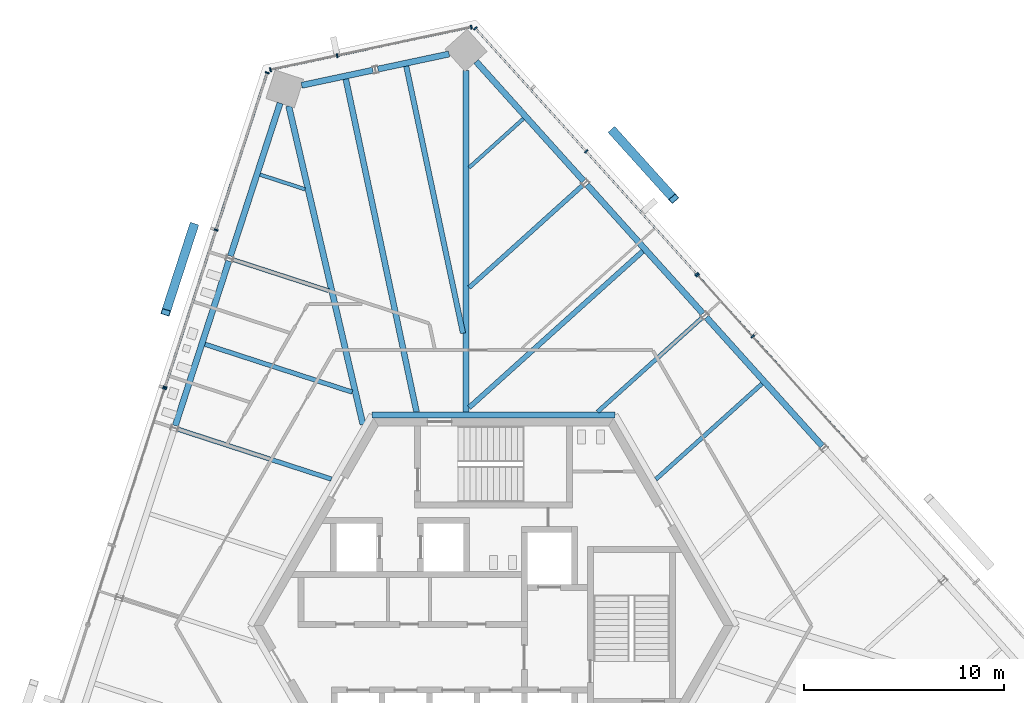
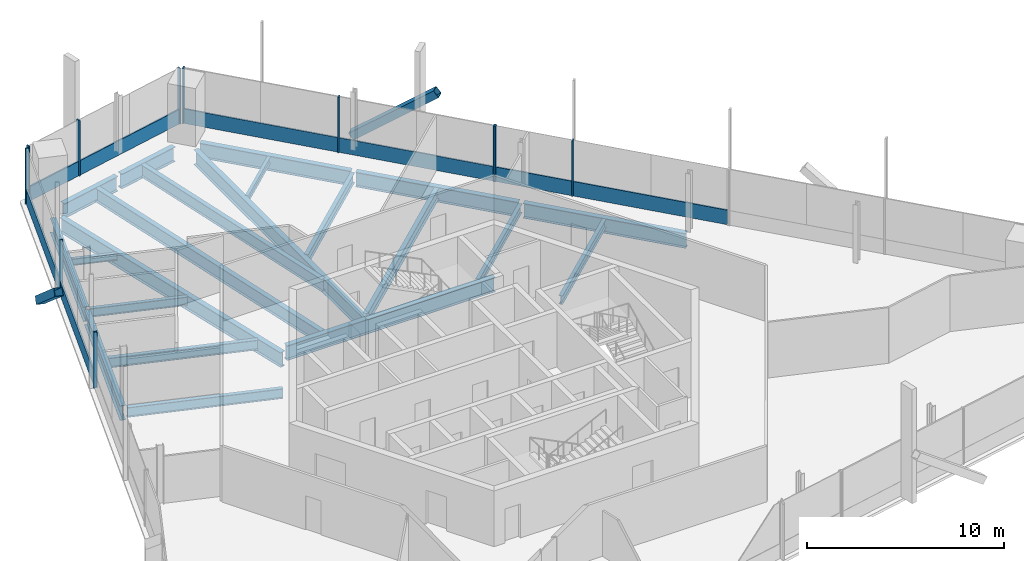
# One storey, part 7 of 16: 22 members, 21 beams, 5 elements without a shape of their own.
"""IFC4 building model written with IfcOpenShell, lengths in metres."""

from ifc_helpers import new_model, si_unit, direction, frame, origin, origin_2d, place, context, subcontext, project, spatial, rectangle, hollow_rectangle, i_section, extrude, source, transform, mapped, material, material_profile, profile_set, type_object, element, aggregate, save


model = new_model("IFC4")

# Units and contexts
model_context = context("Model", 3, precision=1e-05, world=origin(), true_north=direction((0.0, 1.0)))
body_context = subcontext(model_context, "Body", "Model", "MODEL_VIEW")
ifc_project = project(units=[si_unit("LENGTHUNIT", "METRE"), si_unit("AREAUNIT", "SQUARE_METRE"), si_unit("VOLUMEUNIT", "CUBIC_METRE"), si_unit("PLANEANGLEUNIT", "RADIAN"), si_unit("MASSUNIT", "GRAM", prefix="KILO")], contexts=[model_context])

# Site, building, storey
site_placement = place(None, origin())
site = spatial("IfcSite", under=ifc_project, at=site_placement, CompositionType="ELEMENT")
building_placement = place(site_placement, origin())
building = spatial("IfcBuilding", under=site, at=building_placement, Name="Triune Harvest Tower", CompositionType="ELEMENT")
storey_placement = place(building_placement, frame((0.0, 0.0, 266.699951171875)))
storey = spatial("IfcBuildingStorey", under=building, at=storey_placement, Name="L70", CompositionType="ELEMENT", Elevation=266.699951171875)

# Beams
ifc_material_1 = material(Name="Steel ASTM A992 Gr 50", Category="steel")
ifc_material_profile_1 = material_profile(ifc_material_1, i_section(OverallWidth=0.3046875, OverallDepth=0.914306640625, WebThickness=0.0166015625, FlangeThickness=0.02587890625, at=origin_2d()), Name="W36x160")
ifc_profile_set_1 = profile_set([ifc_material_profile_1], Name="Steel ASTM A992 Gr 50")
beam_type_1 = type_object("IfcBeamType", Name="CG-1 Core ring girder W36x160", PredefinedType="BEAM", material=ifc_profile_set_1)
shared_shape_1 = source(origin(), body_context, "Body", "SweptSolid", [
    extrude(i_section(OverallWidth=0.3046875, OverallDepth=0.914306640625, WebThickness=0.0166015625, FlangeThickness=0.02587890625, at=origin_2d()), origin(), (0.0, 0.0, 1.0), 12.17578125),
])
beam_1_placement = place(storey_placement, frame((6.087890625, 10.544677734375, -0.6171875), z_axis=(-1.0, 0.0, 0.0), x_axis=(0.0, -1.0, 0.0)))
element("IfcBeam", 1, at=beam_1_placement, inside=storey, type_object=beam_type_1, Name="beam/L70/CG2", PredefinedType="BEAM", context=body_context, shape_type="MappedRepresentation", body=[
    mapped(shared_shape_1, transform((0.0, 0.0, 0.0), scale=1.0)),
])
ifc_material_2 = material(Name="Steel ASTM A992 Gr 50", Category="steel")
ifc_material_profile_2 = material_profile(ifc_material_2, i_section(OverallWidth=0.3046875, OverallDepth=0.914306640625, WebThickness=0.0166015625, FlangeThickness=0.02587890625, at=origin_2d()), Name="W36x160")
ifc_profile_set_2 = profile_set([ifc_material_profile_2], Name="Steel ASTM A992 Gr 50")
beam_type_2 = type_object("IfcBeamType", Name="SB-1 Spandrel beam W36x160", PredefinedType="SPANDREL", material=ifc_profile_set_2)
shared_shape_2 = source(origin(), body_context, "Body", "SweptSolid", [
    extrude(i_section(OverallWidth=0.3046875, OverallDepth=0.914306640625, WebThickness=0.0166015625, FlangeThickness=0.02587890625, at=origin_2d()), origin(), (0.0, 0.0, 1.0), 8.0498046875),
])
for number, where, z_axis, x_axis, name in (
    (2, (4.511474609375, 22.25537109375, -0.6171875), (-0.669152382485, 0.743125217588, 0.0), (-0.743125217588, -0.669152382485, 0.0), "beam/L70/SB5"),
    (3, (-10.685791015625, 26.152099609375, -0.6171875), (-0.30902160762, -0.951055017348, 0.0), (0.951055017348, -0.30902160762, 0.0), "beam/L70/SB8"),
):
    element("IfcBeam", number, at=place(storey_placement, frame(where, z_axis=z_axis, x_axis=x_axis)), inside=storey, type_object=beam_type_2, Name=name, PredefinedType="SPANDREL", context=body_context, shape_type="MappedRepresentation", body=[
        mapped(shared_shape_2, transform((0.0, 0.0, 0.0), scale=1.0)),
    ])
shared_shape_3 = source(origin(), body_context, "Body", "SweptSolid", [
    extrude(i_section(OverallWidth=0.3046875, OverallDepth=0.914306640625, WebThickness=0.0166015625, FlangeThickness=0.02587890625, at=origin_2d()), origin(), (0.0, 0.0, 1.0), 8.671630859375),
])
beam_2_placement = place(storey_placement, frame((16.45947265625, 8.985595703125, -0.6171875), z_axis=(-0.669129593336, 0.743145737606, 0.0), x_axis=(-0.743145737606, -0.669129593336, 0.0)))
element("IfcBeam", 4, at=beam_2_placement, inside=storey, type_object=beam_type_2, Name="beam/L70/SB3", PredefinedType="SPANDREL", context=body_context, shape_type="MappedRepresentation", body=[
    mapped(shared_shape_3, transform((0.0, 0.0, 0.0), scale=1.0)),
])
shared_shape_4 = source(origin(), body_context, "Body", "SweptSolid", [
    extrude(i_section(OverallWidth=0.3046875, OverallDepth=0.914306640625, WebThickness=0.0166015625, FlangeThickness=0.02587890625, at=origin_2d()), origin(), (0.0, 0.0, 1.0), 8.67138671875),
])
for number, where, z_axis, x_axis, name in (
    (5, (10.4853515625, 15.62060546875, -0.6171875), (-0.669128044683, 0.743147132013, 0.0), (-0.743147132013, -0.669128044683, 0.0), "beam/L70/SB4"),
    (6, (-13.252685546875, 18.25244140625, -0.6171875), (-0.309022409974, -0.951054756643, 0.0), (0.951054756643, -0.309022409974, 0.0), "beam/L70/SB9"),
):
    element("IfcBeam", number, at=place(storey_placement, frame(where, z_axis=z_axis, x_axis=x_axis)), inside=storey, type_object=beam_type_2, Name=name, PredefinedType="SPANDREL", context=body_context, shape_type="MappedRepresentation", body=[
        mapped(shared_shape_4, transform((0.0, 0.0, 0.0), scale=1.0)),
    ])
shared_shape_5 = source(origin(), body_context, "Body", "SweptSolid", [
    extrude(i_section(OverallWidth=0.3046875, OverallDepth=0.914306640625, WebThickness=0.0166015625, FlangeThickness=0.02587890625, at=origin_2d()), origin(), (0.0, 0.0, 1.0), 3.645751953125),
])
beam_3_placement = place(storey_placement, frame((-2.223876953125, 28.61474609375, -0.6171875), z_axis=(-0.978145063506, -0.207923627178, 0.0), x_axis=(0.207923627178, -0.978145063506, 0.0)))
element("IfcBeam", 7, at=beam_3_placement, inside=storey, type_object=beam_type_2, Name="beam/L70/SB6", PredefinedType="SPANDREL", context=body_context, shape_type="MappedRepresentation", body=[
    mapped(shared_shape_5, transform((0.0, 0.0, 0.0), scale=1.0)),
])
shared_shape_6 = source(origin(), body_context, "Body", "SweptSolid", [
    extrude(i_section(OverallWidth=0.3046875, OverallDepth=0.914306640625, WebThickness=0.0166015625, FlangeThickness=0.02587890625, at=origin_2d()), origin(), (0.0, 0.0, 1.0), 3.6455078125),
])
beam_4_placement = place(storey_placement, frame((-6.041015625, 27.803466796875, -0.6171875), z_axis=(-0.978142168213, -0.207937247179, 0.0), x_axis=(0.207937247179, -0.978142168213, 0.0)))
element("IfcBeam", 8, at=beam_4_placement, inside=storey, type_object=beam_type_2, Name="beam/L70/SB7", PredefinedType="SPANDREL", context=body_context, shape_type="MappedRepresentation", body=[
    mapped(shared_shape_6, transform((0.0, 0.0, 0.0), scale=1.0)),
])
ifc_material_3 = material(Name="Steel ASTM A992 Gr 50", Category="steel")
ifc_material_profile_3 = material_profile(ifc_material_3, i_section(OverallWidth=0.3046875, OverallDepth=0.914306640625, WebThickness=0.0166015625, FlangeThickness=0.02587890625, at=origin_2d()), Name="W36x160")
ifc_profile_set_3 = profile_set([ifc_material_profile_3], Name="Steel ASTM A992 Gr 50")
beam_type_3 = type_object("IfcBeamType", Name="HG-3 Hip girder W36x160", PredefinedType="BEAM", material=ifc_profile_set_3)
shared_shape_7 = source(origin(), body_context, "Body", "SweptSolid", [
    extrude(i_section(OverallWidth=0.3046875, OverallDepth=0.914306640625, WebThickness=0.0166015625, FlangeThickness=0.02587890625, at=origin_2d()), origin(), (0.0, 0.0, 1.0), 17.088623046875),
])
beam_5_placement = place(storey_placement, frame((-1.376708984375, 27.78564453125, -0.6171875), z_axis=(0.0, -1.0, 0.0), x_axis=(1.0, 0.0, 0.0)))
element("IfcBeam", 9, at=beam_5_placement, inside=storey, type_object=beam_type_3, Name="beam/L70/HG2", PredefinedType="BEAM", context=body_context, shape_type="MappedRepresentation", body=[
    mapped(shared_shape_7, transform((0.0, 0.0, 0.0), scale=1.0)),
])
shared_shape_8 = source(origin(), body_context, "Body", "SweptSolid", [
    extrude(i_section(OverallWidth=0.3046875, OverallDepth=0.914306640625, WebThickness=0.0166015625, FlangeThickness=0.02587890625, at=origin_2d()), origin(), (0.0, 0.0, 1.0), 16.37060546875),
])
beam_6_placement = place(storey_placement, frame((-10.255126953125, 26.01220703125, -0.6171875), z_axis=(0.227026417792, -0.973888600213, 0.0), x_axis=(0.973888600213, 0.227026417792, 0.0)))
element("IfcBeam", 10, at=beam_6_placement, inside=storey, type_object=beam_type_3, Name="beam/L70/HG3", PredefinedType="BEAM", context=body_context, shape_type="MappedRepresentation", body=[
    mapped(shared_shape_8, transform((0.0, 0.0, 0.0), scale=1.0)),
])
ifc_material_4 = material(Name="Steel ASTM A992 Gr 50", Category="steel")
ifc_material_profile_4 = material_profile(ifc_material_4, i_section(OverallWidth=0.22900390625, OverallDepth=0.612060546875, WebThickness=0.011962890625, FlangeThickness=0.01953125, at=origin_2d()), Name="W24x84")
ifc_profile_set_4 = profile_set([ifc_material_profile_4], Name="Steel ASTM A992 Gr 50")
beam_type_4 = type_object("IfcBeamType", Name="JT-3 Floor joist W24x84", PredefinedType="JOIST", material=ifc_profile_set_4)
shared_shape_9 = source(origin(), body_context, "Body", "SweptSolid", [
    extrude(i_section(OverallWidth=0.22900390625, OverallDepth=0.612060546875, WebThickness=0.011962890625, FlangeThickness=0.01953125, at=origin_2d()), origin(), (0.0, 0.0, 1.0), 7.755126953125),
])
beam_7_placement = place(storey_placement, frame((-14.447509765625, 14.081787109375, -0.466064453125), z_axis=(0.951054888115, -0.309022005354, 0.0), x_axis=(0.309022005354, 0.951054888115, 0.0)))
element("IfcBeam", 11, at=beam_7_placement, inside=storey, type_object=beam_type_4, Name="beam/L70/JT14", PredefinedType="JOIST", context=body_context, shape_type="MappedRepresentation", body=[
    mapped(shared_shape_9, transform((0.0, 0.0, 0.0), scale=1.0)),
])
ifc_material_5 = material(Name="Steel ASTM A992 Gr 50", Category="steel")
ifc_material_profile_5 = material_profile(ifc_material_5, i_section(OverallWidth=0.2099609375, OverallDepth=0.535888671875, WebThickness=0.010986328125, FlangeThickness=0.017333984375, at=origin_2d()), Name="W21x68")
ifc_profile_set_5 = profile_set([ifc_material_profile_5], Name="Steel ASTM A992 Gr 50")
beam_type_5 = type_object("IfcBeamType", Name="JT-2 Floor joist W21x68", PredefinedType="JOIST", material=ifc_profile_set_5)
shared_shape_10 = source(origin(), body_context, "Body", "SweptSolid", [
    extrude(i_section(OverallWidth=0.2099609375, OverallDepth=0.535888671875, WebThickness=0.010986328125, FlangeThickness=0.017333984375, at=origin_2d()), origin(), (0.0, 0.0, 1.0), 7.155517578125),
])
beam_8_placement = place(storey_placement, frame((13.44482421875, 12.105712890625, -0.427978515625), z_axis=(-0.743139743978, -0.669136249892, 0.0), x_axis=(0.669136249892, -0.743139743978, 0.0)))
element("IfcBeam", 12, at=beam_8_placement, inside=storey, type_object=beam_type_5, Name="beam/L70/JT5", PredefinedType="JOIST", context=body_context, shape_type="MappedRepresentation", body=[
    mapped(shared_shape_10, transform((0.0, 0.0, 0.0), scale=1.0)),
])
shared_shape_11 = source(origin(), body_context, "Body", "SweptSolid", [
    extrude(i_section(OverallWidth=0.2099609375, OverallDepth=0.535888671875, WebThickness=0.010986328125, FlangeThickness=0.017333984375, at=origin_2d()), origin(), (0.0, 0.0, 1.0), 7.035400390625),
])
beam_9_placement = place(storey_placement, frame((10.437255859375, 15.404541015625, -0.427978515625), z_axis=(-0.743147458893, -0.669127681643, 0.0), x_axis=(0.669127681643, -0.743147458893, 0.0)))
element("IfcBeam", 13, at=beam_9_placement, inside=storey, type_object=beam_type_5, Name="beam/L70/JT6", PredefinedType="JOIST", context=body_context, shape_type="MappedRepresentation", body=[
    mapped(shared_shape_11, transform((0.0, 0.0, 0.0), scale=1.0)),
])
ifc_material_6 = material(Name="Steel ASTM A992 Gr 50", Category="steel")
ifc_material_profile_6 = material_profile(ifc_material_6, i_section(OverallWidth=0.253662109375, OverallDepth=0.683349609375, WebThickness=0.012451171875, FlangeThickness=0.01904296875, at=origin_2d()), Name="W27x94")
ifc_profile_set_6 = profile_set([ifc_material_profile_6], Name="Steel ASTM A992 Gr 50")
beam_type_6 = type_object("IfcBeamType", Name="JT-4 Floor joist W27x94", PredefinedType="JOIST", material=ifc_profile_set_6)
shared_shape_12 = source(origin(), body_context, "Body", "SweptSolid", [
    extrude(i_section(OverallWidth=0.253662109375, OverallDepth=0.683349609375, WebThickness=0.012451171875, FlangeThickness=0.01904296875, at=origin_2d()), origin(), (0.0, 0.0, 1.0), 11.70068359375),
])
beam_10_placement = place(storey_placement, frame((7.470947265625, 18.740478515625, -0.50146484375), z_axis=(-0.743153026809, -0.669121497745, 0.0), x_axis=(0.669121497745, -0.743153026809, 0.0)))
element("IfcBeam", 14, at=beam_10_placement, inside=storey, type_object=beam_type_6, Name="beam/L70/JT7", PredefinedType="JOIST", context=body_context, shape_type="MappedRepresentation", body=[
    mapped(shared_shape_12, transform((0.0, 0.0, 0.0), scale=1.0)),
])
shared_shape_13 = source(origin(), body_context, "Body", "SweptSolid", [
    extrude(i_section(OverallWidth=0.22900390625, OverallDepth=0.612060546875, WebThickness=0.011962890625, FlangeThickness=0.01953125, at=origin_2d()), origin(), (0.0, 0.0, 1.0), 7.6533203125),
])
beam_11_placement = place(storey_placement, frame((4.463134765625, 22.039306640625, -0.466064453125), z_axis=(-0.74314185307, -0.669133907537, 0.0), x_axis=(0.669133907537, -0.74314185307, 0.0)))
element("IfcBeam", 15, at=beam_11_placement, inside=storey, type_object=beam_type_4, Name="beam/L70/JT8", PredefinedType="JOIST", context=body_context, shape_type="MappedRepresentation", body=[
    mapped(shared_shape_13, transform((0.0, 0.0, 0.0), scale=1.0)),
])
ifc_material_7 = material(Name="Steel ASTM A992 Gr 50", Category="steel")
ifc_material_profile_7 = material_profile(ifc_material_7, i_section(OverallWidth=0.180908203125, OverallDepth=0.41650390625, WebThickness=0.010986328125, FlangeThickness=0.01806640625, at=origin_2d()), Name="W16x57")
ifc_profile_set_7 = profile_set([ifc_material_profile_7], Name="Steel ASTM A992 Gr 50")
beam_type_7 = type_object("IfcBeamType", Name="JT-1 Floor joist W16x57", PredefinedType="JOIST", material=ifc_profile_set_7)
shared_shape_14 = source(origin(), body_context, "Body", "SweptSolid", [
    extrude(i_section(OverallWidth=0.180908203125, OverallDepth=0.41650390625, WebThickness=0.010986328125, FlangeThickness=0.01806640625, at=origin_2d()), origin(), (0.0, 0.0, 1.0), 3.661865234375),
])
beam_12_placement = place(storey_placement, frame((1.496826171875, 25.37548828125, -0.3681640625), z_axis=(-0.743108471823, -0.669170978977, 0.0), x_axis=(0.669170978977, -0.743108471823, 0.0)))
element("IfcBeam", 16, at=beam_12_placement, inside=storey, type_object=beam_type_7, Name="beam/L70/JT9", PredefinedType="JOIST", context=body_context, shape_type="MappedRepresentation", body=[
    mapped(shared_shape_14, transform((0.0, 0.0, 0.0), scale=1.0)),
])
ifc_material_8 = material(Name="Steel ASTM A992 Gr 50", Category="steel")
ifc_material_profile_8 = material_profile(ifc_material_8, i_section(OverallWidth=0.2666015625, OverallDepth=0.7568359375, WebThickness=0.013916015625, FlangeThickness=0.019287109375, at=origin_2d()), Name="W30x108")
ifc_profile_set_8 = profile_set([ifc_material_profile_8], Name="Steel ASTM A992 Gr 50")
beam_type_8 = type_object("IfcBeamType", Name="JT-5 Floor joist W30x108", PredefinedType="JOIST", material=ifc_profile_set_8)
shared_shape_15 = source(origin(), body_context, "Body", "SweptSolid", [
    extrude(i_section(OverallWidth=0.2666015625, OverallDepth=0.7568359375, WebThickness=0.013916015625, FlangeThickness=0.019287109375, at=origin_2d()), origin(), (0.0, 0.0, 1.0), 13.66796875),
])
beam_13_placement = place(storey_placement, frame((-4.370849609375, 28.002685546875, -0.538330078125), z_axis=(0.207897850023, -0.978150542583, 0.0), x_axis=(0.978150542583, 0.207897850023, 0.0)))
element("IfcBeam", 17, at=beam_13_placement, inside=storey, type_object=beam_type_8, Name="beam/L70/JT10", PredefinedType="JOIST", context=body_context, shape_type="MappedRepresentation", body=[
    mapped(shared_shape_15, transform((0.0, 0.0, 0.0), scale=1.0)),
])
ifc_material_9 = material(Name="Steel ASTM A992 Gr 50", Category="steel")
ifc_material_profile_9 = material_profile(ifc_material_9, i_section(OverallWidth=0.2919921875, OverallDepth=0.8408203125, WebThickness=0.0146484375, FlangeThickness=0.021728515625, at=origin_2d()), Name="W33x130")
ifc_profile_set_9 = profile_set([ifc_material_profile_9], Name="Steel ASTM A992 Gr 50")
beam_type_9 = type_object("IfcBeamType", Name="JT-6 Floor joist W33x130", PredefinedType="JOIST", material=ifc_profile_set_9)
shared_shape_16 = source(origin(), body_context, "Body", "SweptSolid", [
    extrude(i_section(OverallWidth=0.2919921875, OverallDepth=0.8408203125, WebThickness=0.0146484375, FlangeThickness=0.021728515625, at=origin_2d()), origin(), (0.0, 0.0, 1.0), 17.034912109375),
])
beam_14_placement = place(storey_placement, frame((-7.396728515625, 27.359619140625, -0.580322265625), z_axis=(0.207911891923, -0.978147557988, 0.0), x_axis=(0.978147557988, 0.207911891923, 0.0)))
element("IfcBeam", 18, at=beam_14_placement, inside=storey, type_object=beam_type_9, Name="beam/L70/JT11", PredefinedType="JOIST", context=body_context, shape_type="MappedRepresentation", body=[
    mapped(shared_shape_16, transform((0.0, 0.0, 0.0), scale=1.0)),
])
shared_shape_17 = source(origin(), body_context, "Body", "SweptSolid", [
    extrude(i_section(OverallWidth=0.180908203125, OverallDepth=0.41650390625, WebThickness=0.010986328125, FlangeThickness=0.01806640625, at=origin_2d()), origin(), (0.0, 0.0, 1.0), 2.36474609375),
])
beam_15_placement = place(storey_placement, frame((-11.688720703125, 22.57275390625, -0.3681640625), z_axis=(0.951061378221, -0.309002030505, 0.0), x_axis=(0.309002030505, 0.951061378221, 0.0)))
element("IfcBeam", 19, at=beam_15_placement, inside=storey, type_object=beam_type_7, Name="beam/L70/JT12", PredefinedType="JOIST", context=body_context, shape_type="MappedRepresentation", body=[
    mapped(shared_shape_17, transform((0.0, 0.0, 0.0), scale=1.0)),
])
shared_shape_18 = source(origin(), body_context, "Body", "SweptSolid", [
    extrude(i_section(OverallWidth=0.2099609375, OverallDepth=0.535888671875, WebThickness=0.010986328125, FlangeThickness=0.017333984375, at=origin_2d()), origin(), (0.0, 0.0, 1.0), 5.0322265625),
])
beam_16_placement = place(storey_placement, frame((-13.04150390625, 18.318603515625, -0.427978515625), z_axis=(0.951062231031, -0.308999405674, 0.0), x_axis=(0.308999405674, 0.951062231031, 0.0)))
element("IfcBeam", 20, at=beam_16_placement, inside=storey, type_object=beam_type_5, Name="beam/L70/JT13", PredefinedType="JOIST", context=body_context, shape_type="MappedRepresentation", body=[
    mapped(shared_shape_18, transform((0.0, 0.0, 0.0), scale=1.0)),
])
shared_shape_19 = source(origin(), body_context, "Body", "SweptSolid", [
    extrude(i_section(OverallWidth=0.22900390625, OverallDepth=0.612060546875, WebThickness=0.011962890625, FlangeThickness=0.01953125, at=origin_2d()), origin(), (0.0, 0.0, 1.0), 8.07666015625),
])
beam_17_placement = place(storey_placement, frame((-15.80029296875, 9.82763671875, -0.466064453125), z_axis=(0.951056057917, -0.309018405114, 0.0), x_axis=(0.309018405114, 0.951056057917, 0.0)))
element("IfcBeam", 21, at=beam_17_placement, inside=storey, type_object=beam_type_4, Name="beam/L70/JT15", PredefinedType="JOIST", context=body_context, shape_type="MappedRepresentation", body=[
    mapped(shared_shape_19, transform((0.0, 0.0, 0.0), scale=1.0)),
])

# Members
ifc_material_10 = material(Name="Steel ASTM A572 Gr 50", Category="steel")
ifc_material_profile_10 = material_profile(ifc_material_10, hollow_rectangle(XDim=0.449951171875, YDim=0.449951171875, WallThickness=0.02490234375, at=origin_2d()), Name="Box 450x450x25")
ifc_profile_set_10 = profile_set([ifc_material_profile_10], Name="Steel ASTM A572 Gr 50")
member_type_1 = type_object("IfcMemberType", Name="BR-4 Brace Box 450x450x25", PredefinedType="BRACE", material=ifc_profile_set_10)
shared_shape_20 = source(origin(), body_context, "Body", "SweptSolid", [
    extrude(hollow_rectangle(XDim=0.449951171875, YDim=0.449951171875, WallThickness=0.02490234375, at=origin_2d()), origin(), (0.0, 0.0, 1.0), 5.789306640625),
])
member_1_placement = place(storey_placement, frame((5.9921875, 24.736572265625, 0.0), z_axis=(0.523980540514, -0.582008486087, 0.621860527197), x_axis=(0.743184353567, 0.66908670336, 0.0)))
element("IfcMember", 22, at=member_1_placement, inside=storey, type_object=member_type_1, Name="brace/B7-F1/d2/3", PredefinedType="BRACE", context=body_context, shape_type="MappedRepresentation", body=[
    mapped(shared_shape_20, transform((0.0, 0.0, 0.0), scale=1.0)),
])
shared_shape_21 = source(origin(), body_context, "Body", "SweptSolid", [
    extrude(hollow_rectangle(XDim=0.449951171875, YDim=0.449951171875, WallThickness=0.02490234375, at=origin_2d()), origin(), (0.0, 0.0, 1.0), 5.7890625),
])
member_2_placement = place(storey_placement, frame((-15.01220703125, 19.99072265625, 0.0), z_axis=(-0.241982631104, -0.744798753559, 0.621867528451), x_axis=(0.951062953567, -0.308997181788, 0.0)))
element("IfcMember", 23, at=member_2_placement, inside=storey, type_object=member_type_1, Name="brace/B7-F3/d1/3", PredefinedType="BRACE", context=body_context, shape_type="MappedRepresentation", body=[
    mapped(shared_shape_21, transform((0.0, 0.0, 0.0), scale=1.0)),
])

# Curtain wall, members
ifc_material_11 = material(Name="Aluminium bronze anodised", Category="aluminium")
curtain_wall_type_1 = type_object("IfcCurtainWallType", Name="CW-1 Tower stick curtain wall", PredefinedType="NOTDEFINED", material=ifc_material_11)
curtain_wall_1_placement = place(storey_placement, origin())
curtain_wall_1 = element("IfcCurtainWall", 24, at=curtain_wall_1_placement, inside=storey, type_object=curtain_wall_type_1, Name="CW-1 B7-F1 L70 run 1001")
ifc_material_12 = material(Name="Aluminium bronze anodised", Category="aluminium")
ifc_material_profile_11 = material_profile(ifc_material_12, rectangle(XDim=0.199951171875, YDim=0.074951171875, at=origin_2d()), Name="MU-1 mullion 75 x 200")
ifc_profile_set_11 = profile_set([ifc_material_profile_11], Name="Aluminium bronze anodised")
member_type_2 = type_object("IfcMemberType", Name="MU-1 mullion 75 x 200", PredefinedType="MULLION", material=ifc_profile_set_11)
shared_shape_22 = source(origin(), body_context, "Body", "SweptSolid", [
    extrude(rectangle(XDim=0.199951171875, YDim=0.074951171875, at=origin_2d()), origin(), (0.0, 0.0, 1.0), 3.43994140625),
])
member_3_placement = place(storey_placement, frame((12.974609375, 14.478515625, 0.0), z_axis=(0.0, 0.0, 1.0), x_axis=(-0.743150150549, -0.66912469222, 0.0)))
member_3 = element("IfcMember", 25, at=member_3_placement, type_object=member_type_2, Name="CW-1 mullion B7-F1 1001.3", PredefinedType="MULLION", context=body_context, shape_type="MappedRepresentation", body=[
    mapped(shared_shape_22, transform((0.0, 0.0, 0.0), scale=1.0)),
])
member_4_placement = place(storey_placement, frame((10.218994140625, 17.538818359375, 0.0), z_axis=(0.0, 0.0, 1.0), x_axis=(-0.743150150549, -0.66912469222, 0.0)))
member_4 = element("IfcMember", 26, at=member_4_placement, type_object=member_type_2, Name="CW-1 mullion B7-F1 1001.4", PredefinedType="MULLION", context=body_context, shape_type="MappedRepresentation", body=[
    mapped(shared_shape_22, transform((0.0, 0.0, 0.0), scale=1.0)),
])

ifc_material_13 = material(Name="Aluminium bronze anodised", Category="aluminium")
curtain_wall_type_2 = type_object("IfcCurtainWallType", Name="CW-7 Tower stick curtain wall with insulated spandrel infill", PredefinedType="NOTDEFINED", material=ifc_material_13)
curtain_wall_2_placement = place(storey_placement, origin())
curtain_wall_2 = element("IfcCurtainWall", 27, at=curtain_wall_2_placement, inside=storey, type_object=curtain_wall_type_2, Name="CW-7 B7-F1 L70 run 2001")
member_5_placement = place(storey_placement, frame((10.168701171875, 17.5947265625, 0.0), z_axis=(0.0, 0.0, 1.0), x_axis=(-0.743141787662, -0.66913398018, 0.0)))
member_5 = element("IfcMember", 28, at=member_5_placement, type_object=member_type_2, Name="CW-7 mullion B7-F1 2001.1", PredefinedType="MULLION", context=body_context, shape_type="MappedRepresentation", body=[
    mapped(shared_shape_22, transform((0.0, 0.0, 0.0), scale=1.0)),
])
member_6_placement = place(storey_placement, frame((4.63232421875, 23.743408203125, 0.0), z_axis=(0.0, 0.0, 1.0), x_axis=(-0.743141787662, -0.66913398018, 0.0)))
member_6 = element("IfcMember", 29, at=member_6_placement, type_object=member_type_2, Name="CW-7 mullion B7-F1 2001.3", PredefinedType="MULLION", context=body_context, shape_type="MappedRepresentation", body=[
    mapped(shared_shape_22, transform((0.0, 0.0, 0.0), scale=1.0)),
])
member_7_placement = place(storey_placement, frame((-0.904052734375, 29.892333984375, 0.0), z_axis=(0.0, 0.0, 1.0), x_axis=(-0.743141787662, -0.66913398018, 0.0)))
member_7 = element("IfcMember", 30, at=member_7_placement, type_object=member_type_2, Name="CW-7 mullion B7-F1 2001.5", PredefinedType="MULLION", context=body_context, shape_type="MappedRepresentation", body=[
    mapped(shared_shape_22, transform((0.0, 0.0, 0.0), scale=1.0)),
])

curtain_wall_3_placement = place(storey_placement, origin())
curtain_wall_3 = element("IfcCurtainWall", 31, at=curtain_wall_3_placement, inside=storey, type_object=curtain_wall_type_1, Name="CW-1 B7-F2 L70 run 1")
member_8_placement = place(storey_placement, frame((-1.114013671875, 29.96044921875, 0.0), z_axis=(0.0, 0.0, 1.0), x_axis=(0.207904739307, -0.978149078297, 0.0)))
member_8 = element("IfcMember", 32, at=member_8_placement, type_object=member_type_2, Name="CW-1 mullion B7-F2 1.1", PredefinedType="MULLION", context=body_context, shape_type="MappedRepresentation", body=[
    mapped(shared_shape_22, transform((0.0, 0.0, 0.0), scale=1.0)),
])
member_9_placement = place(storey_placement, frame((-7.8291015625, 28.533203125, 0.0), z_axis=(0.0, 0.0, 1.0), x_axis=(0.207904739307, -0.978149078297, 0.0)))
member_9 = element("IfcMember", 33, at=member_9_placement, type_object=member_type_2, Name="CW-1 mullion B7-F2 1.3", PredefinedType="MULLION", context=body_context, shape_type="MappedRepresentation", body=[
    mapped(shared_shape_22, transform((0.0, 0.0, 0.0), scale=1.0)),
])
member_10_placement = place(storey_placement, frame((-11.168212890625, 27.823486328125, 0.0), z_axis=(0.0, 0.0, 1.0), x_axis=(0.207904739307, -0.978149078297, 0.0)))
member_10 = element("IfcMember", 34, at=member_10_placement, type_object=member_type_2, Name="CW-1 mullion B7-F2 1.4", PredefinedType="MULLION", context=body_context, shape_type="MappedRepresentation", body=[
    mapped(shared_shape_22, transform((0.0, 0.0, 0.0), scale=1.0)),
])

curtain_wall_4_placement = place(storey_placement, origin())
curtain_wall_4 = element("IfcCurtainWall", 35, at=curtain_wall_4_placement, inside=storey, type_object=curtain_wall_type_2, Name="CW-7 B7-F3 L70 run 1")
member_11_placement = place(storey_placement, frame((-11.332275390625, 27.67578125, 0.0), z_axis=(0.0, 0.0, 1.0), x_axis=(0.951057638804, -0.309013539626, 0.0)))
member_11 = element("IfcMember", 36, at=member_11_placement, type_object=member_type_2, Name="CW-7 mullion B7-F3 1.1", PredefinedType="MULLION", context=body_context, shape_type="MappedRepresentation", body=[
    mapped(shared_shape_22, transform((0.0, 0.0, 0.0), scale=1.0)),
])
member_12_placement = place(storey_placement, frame((-13.88916015625, 19.806640625, 0.0), z_axis=(0.0, 0.0, 1.0), x_axis=(0.951057638804, -0.309013539626, 0.0)))
member_12 = element("IfcMember", 37, at=member_12_placement, type_object=member_type_2, Name="CW-7 mullion B7-F3 1.3", PredefinedType="MULLION", context=body_context, shape_type="MappedRepresentation", body=[
    mapped(shared_shape_22, transform((0.0, 0.0, 0.0), scale=1.0)),
])
member_13_placement = place(storey_placement, frame((-16.44580078125, 11.9375, 0.0), z_axis=(0.0, 0.0, 1.0), x_axis=(0.951057638804, -0.309013539626, 0.0)))
member_13 = element("IfcMember", 38, at=member_13_placement, type_object=member_type_2, Name="CW-7 mullion B7-F3 1.5", PredefinedType="MULLION", context=body_context, shape_type="MappedRepresentation", body=[
    mapped(shared_shape_22, transform((0.0, 0.0, 0.0), scale=1.0)),
])

# Curtain wall, member
curtain_wall_5_placement = place(storey_placement, origin())
curtain_wall_5 = element("IfcCurtainWall", 39, at=curtain_wall_5_placement, inside=storey, type_object=curtain_wall_type_1, Name="CW-1 B7-F3 L70 run 1001")
member_14_placement = place(storey_placement, frame((-16.468994140625, 11.8662109375, 0.0), z_axis=(0.0, 0.0, 1.0), x_axis=(0.951054284615, -0.309023862696, 0.0)))
member_14 = element("IfcMember", 40, at=member_14_placement, type_object=member_type_2, Name="CW-1 mullion B7-F3 1001.1", PredefinedType="MULLION", context=body_context, shape_type="MappedRepresentation", body=[
    mapped(shared_shape_22, transform((0.0, 0.0, 0.0), scale=1.0)),
])
aggregate(curtain_wall_5, [member_14])

# Member
ifc_material_14 = material(Name="Aluminium bronze anodised", Category="aluminium")
ifc_material_profile_12 = material_profile(ifc_material_14, rectangle(XDim=0.090087890625, YDim=0.89990234375, at=origin_2d()), Name="TR-1 transom 90 x 900")
ifc_profile_set_12 = profile_set([ifc_material_profile_12], Name="Aluminium bronze anodised")
member_type_3 = type_object("IfcMemberType", Name="TR-1 transom 90 x 900", PredefinedType="USERDEFINED", material=ifc_profile_set_12)
shared_shape_23 = source(origin(), body_context, "Body", "SweptSolid", [
    extrude(rectangle(XDim=0.090087890625, YDim=0.89990234375, at=origin_2d()), origin(), (0.0, 0.0, 1.0), 6.7900390625),
])
member_15_placement = place(storey_placement, frame((-1.15087890625, 29.95263671875, 0.449951171875), z_axis=(-0.978150442975, -0.207898318677, 0.0), x_axis=(0.207898318677, -0.978150442975, 0.0)))
member_15 = element("IfcMember", 41, at=member_15_placement, type_object=member_type_3, Name="CW-1 transom B7-F2 1.1", ObjectType="TRANSOM", PredefinedType="USERDEFINED", context=body_context, shape_type="MappedRepresentation", body=[
    mapped(shared_shape_23, transform((0.0, 0.0, 0.0), scale=1.0)),
])

shared_shape_24 = source(origin(), body_context, "Body", "SweptSolid", [
    extrude(rectangle(XDim=0.090087890625, YDim=0.89990234375, at=origin_2d()), origin(), (0.0, 0.0, 1.0), 3.3388671875),
])
member_16_placement = place(storey_placement, frame((-7.86572265625, 28.525390625, 0.449951171875), z_axis=(-0.978153089547, -0.207885866306, 0.0), x_axis=(0.207885866306, -0.978153089547, 0.0)))
member_16 = element("IfcMember", 42, at=member_16_placement, type_object=member_type_3, Name="CW-1 transom B7-F2 1.2", ObjectType="TRANSOM", PredefinedType="USERDEFINED", context=body_context, shape_type="MappedRepresentation", body=[
    mapped(shared_shape_24, transform((0.0, 0.0, 0.0), scale=1.0)),
])

aggregate(curtain_wall_3, [member_8, member_9, member_10, member_15, member_16])

shared_shape_25 = source(origin(), body_context, "Body", "SweptSolid", [
    extrude(rectangle(XDim=0.090087890625, YDim=0.89990234375, at=origin_2d()), origin(), (0.0, 0.0, 1.0), 8.198974609375),
])
member_17_placement = place(storey_placement, frame((18.48583984375, 8.357421875, 0.449951171875), z_axis=(-0.669109489038, 0.743163839055, 0.0), x_axis=(-0.743163839055, -0.669109489038, 0.0)))
member_17 = element("IfcMember", 43, at=member_17_placement, type_object=member_type_3, Name="CW-1 transom B7-F1 1001.1", ObjectType="TRANSOM", PredefinedType="USERDEFINED", context=body_context, shape_type="MappedRepresentation", body=[
    mapped(shared_shape_25, transform((0.0, 0.0, 0.0), scale=1.0)),
])

member_18_placement = place(storey_placement, frame((10.143798828125, 17.62255859375, 0.449951171875), z_axis=(-0.669140740537, 0.743135700497, 0.0), x_axis=(-0.743135700497, -0.669140740537, 0.0)))
member_18 = element("IfcMember", 44, at=member_18_placement, type_object=member_type_3, Name="CW-7 transom B7-F1 2001.1", ObjectType="TRANSOM", PredefinedType="USERDEFINED", context=body_context, shape_type="MappedRepresentation", body=[
    mapped(shared_shape_25, transform((0.0, 0.0, 0.0), scale=1.0)),
])

member_19_placement = place(storey_placement, frame((4.607177734375, 23.771240234375, 0.449951171875), z_axis=(-0.669109489038, 0.743163839055, 0.0), x_axis=(-0.743163839055, -0.669109489038, 0.0)))
member_19 = element("IfcMember", 45, at=member_19_placement, type_object=member_type_3, Name="CW-7 transom B7-F1 2001.2", ObjectType="TRANSOM", PredefinedType="USERDEFINED", context=body_context, shape_type="MappedRepresentation", body=[
    mapped(shared_shape_25, transform((0.0, 0.0, 0.0), scale=1.0)),
])

aggregate(curtain_wall_2, [member_5, member_6, member_7, member_18, member_19])

member_20_placement = place(storey_placement, frame((-11.343994140625, 27.64013671875, 0.449951171875), z_axis=(-0.308991809103, -0.951064699117, 0.0), x_axis=(0.951064699117, -0.308991809103, 0.0)))
member_20 = element("IfcMember", 46, at=member_20_placement, type_object=member_type_3, Name="CW-7 transom B7-F3 1.1", ObjectType="TRANSOM", PredefinedType="USERDEFINED", context=body_context, shape_type="MappedRepresentation", body=[
    mapped(shared_shape_25, transform((0.0, 0.0, 0.0), scale=1.0)),
])

shared_shape_26 = source(origin(), body_context, "Body", "SweptSolid", [
    extrude(rectangle(XDim=0.090087890625, YDim=0.89990234375, at=origin_2d()), origin(), (0.0, 0.0, 1.0), 4.043212890625),
])
member_21_placement = place(storey_placement, frame((12.949462890625, 14.50634765625, 0.449951171875), z_axis=(-0.669121516472, 0.743153009947, 0.0), x_axis=(-0.743153009947, -0.669121516472, 0.0)))
member_21 = element("IfcMember", 47, at=member_21_placement, type_object=member_type_3, Name="CW-1 transom B7-F1 1001.2", ObjectType="TRANSOM", PredefinedType="USERDEFINED", context=body_context, shape_type="MappedRepresentation", body=[
    mapped(shared_shape_26, transform((0.0, 0.0, 0.0), scale=1.0)),
])

aggregate(curtain_wall_1, [member_3, member_4, member_17, member_21])

shared_shape_27 = source(origin(), body_context, "Body", "SweptSolid", [
    extrude(rectangle(XDim=0.090087890625, YDim=0.89990234375, at=origin_2d()), origin(), (0.0, 0.0, 1.0), 8.19921875),
])
member_22_placement = place(storey_placement, frame((-13.900634765625, 19.77099609375, 0.449951171875), z_axis=(-0.309018742385, -0.951055948331, 0.0), x_axis=(0.951055948331, -0.309018742385, 0.0)))
member_22 = element("IfcMember", 48, at=member_22_placement, type_object=member_type_3, Name="CW-7 transom B7-F3 1.2", ObjectType="TRANSOM", PredefinedType="USERDEFINED", context=body_context, shape_type="MappedRepresentation", body=[
    mapped(shared_shape_27, transform((0.0, 0.0, 0.0), scale=1.0)),
])

aggregate(curtain_wall_4, [member_11, member_12, member_13, member_20, member_22])

save(model, "model.ifc")
